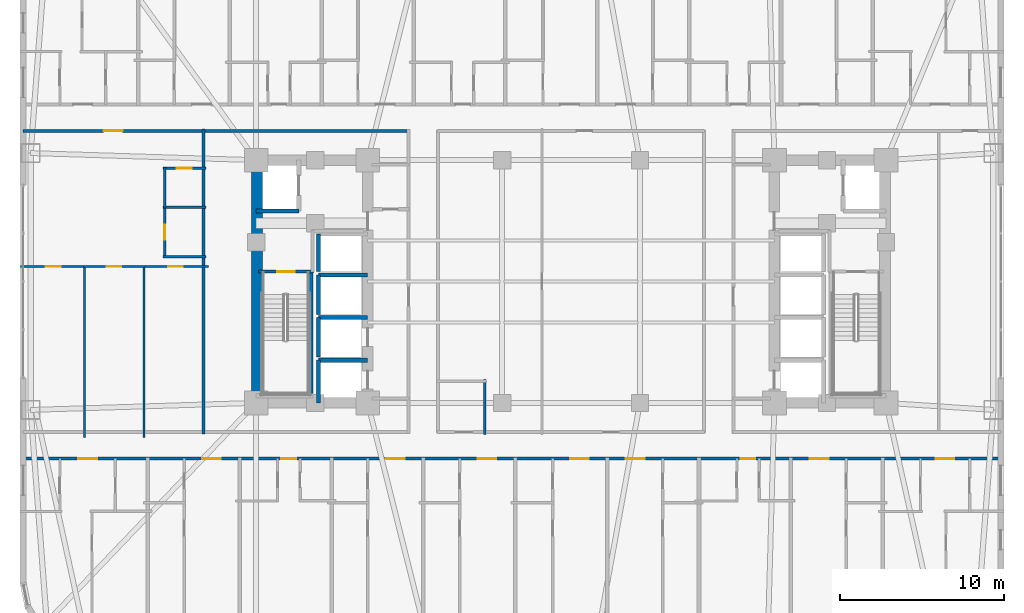
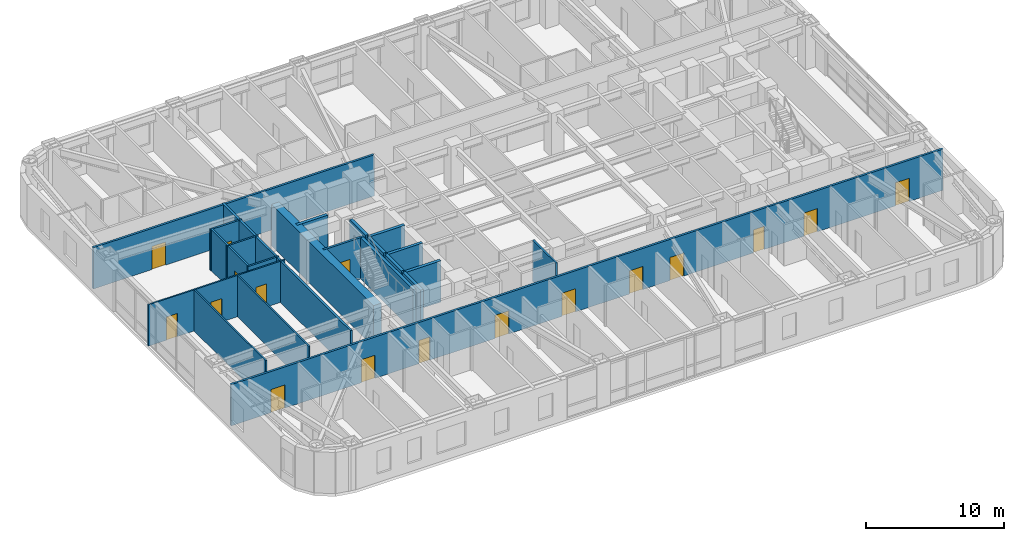
# One storey, part 21 of 28: 25 walls, 17 doors, 17 openings.
"""IFC4 building model written with IfcOpenShell, lengths in metres."""

from ifc_helpers import new_model, si_unit, direction, frame, frame_2d, origin, place, context, subcontext, project, spatial, rectangle, extrude, material, layer, layer_set, type_object, element, fill, save


model = new_model("IFC4")

# Units and contexts
model_context = context("Model", 3, precision=1e-05, world=origin(), true_north=direction((0.0, 1.0)))
body_context = subcontext(model_context, "Body", "Model", "MODEL_VIEW")
ifc_project = project(units=[si_unit("LENGTHUNIT", "METRE"), si_unit("AREAUNIT", "SQUARE_METRE"), si_unit("VOLUMEUNIT", "CUBIC_METRE"), si_unit("PLANEANGLEUNIT", "RADIAN"), si_unit("MASSUNIT", "GRAM", prefix="KILO")], contexts=[model_context])

# Site, building, storey
site_placement = place(None, origin())
site = spatial("IfcSite", under=ifc_project, at=site_placement, CompositionType="ELEMENT")
building_placement = place(site_placement, origin())
building = spatial("IfcBuilding", under=site, at=building_placement, Name="Voryun Gate Residences", CompositionType="ELEMENT")
storey_placement = place(building_placement, frame((0.0, 0.0, 61.10009765625)))
storey = spatial("IfcBuildingStorey", under=building, at=storey_placement, Name="L14", CompositionType="ELEMENT", Elevation=61.10009765625)

# Wall
ifc_material_1 = material(Name="Concrete C60/75", Category="concrete")
ifc_layer_1 = layer(ifc_material_1, 0.64990234375, Name="CW_CORE_650")
ifc_layer_set_1 = layer_set([ifc_layer_1], Name="Concrete C60/75")
wall_type_1 = type_object("IfcWallType", Name="CW_CORE_650", PredefinedType="SHEAR", material=ifc_layer_set_1)
wall_1_placement = place(storey_placement, frame((-19.14501953125, -7.39990234375, 0.0), z_axis=(0.0, 0.0, 1.0), x_axis=(0.0, 1.0, 0.0)))
element("IfcWall", 1, at=wall_1_placement, inside=storey, type_object=wall_type_1, Name="L14 Core shear wall CW-L14-WW", PredefinedType="SHEAR", context=body_context, shape_type="SweptSolid", body=[
    extrude(rectangle(XDim=14.7998046875, YDim=0.64990234375, at=frame_2d((7.39990234375, 0.0))), origin(), (0.0, 0.0, 1.0), 3.64990234375),
])

# Wall, opening, door
ifc_material_2 = material(Name="Gypsum acoustic fireboard")
ifc_layer_2 = layer(ifc_material_2, 0.179931640625, Name="W_CORR_RATED_180")
ifc_layer_set_2 = layer_set([ifc_layer_2], Name="Gypsum acoustic fireboard")
wall_type_2 = type_object("IfcWallType", Name="W_CORR_RATED_180", PredefinedType="PARTITIONING", material=ifc_layer_set_2)
wall_2_placement = place(storey_placement, frame((-19.06005859375, 0.60009765625, 0.0), z_axis=(0.0, 0.0, 1.0), x_axis=(1.0, 0.0, 0.0)))
wall_2 = element("IfcWall", 2, at=wall_2_placement, inside=storey, type_object=wall_type_2, Name="Partition wall WP-L14-STV-W", PredefinedType="PARTITIONING", context=body_context, shape_type="SweptSolid", body=[
    extrude(rectangle(XDim=3.360107421875, YDim=0.179931640625, at=frame_2d((1.68017578125, 0.0))), origin(), (0.0, 0.0, 1.0), 3.64990234375),
])
opening_1_placement = place(wall_2_placement, frame((1.155029296875, 0.0, 0.0)))
opening_1 = element("IfcOpeningElement", 3, at=opening_1_placement, cuts=wall_2, Name="Opening D-FD60-1", PredefinedType="OPENING", context=body_context, shape_type="SweptSolid", body=[
    extrude(rectangle(XDim=1.050048828125, YDim=2.050048828125, at=frame_2d((0.52490234375, 1.02490234375))), frame((0.0, 0.099853515625, 0.0), z_axis=(0.0, -1.0, 0.0), x_axis=(1.0, 0.0, 0.0)), (0.0, 0.0, 1.0), 0.199951171875),
])
ifc_material_3 = material(Name="Painted steel fire door", Category="steel")
door_type_1 = type_object("IfcDoorType", Name="DR_FD60_STAIR_1050", OperationType="NOTDEFINED", PredefinedType="DOOR", material=ifc_material_3)
door_1_placement = place(opening_1_placement, origin())
door_1 = element("IfcDoor", 4, at=door_1_placement, inside=storey, type_object=door_type_1, Name="Door DR-L14-ST-W", OperationType="SINGLE_SWING_LEFT", OverallHeight=2.050048828125, OverallWidth=1.050048828125, PredefinedType="DOOR", context=body_context, shape_type="SweptSolid", body=[
    extrude(rectangle(XDim=1.050048828125, YDim=2.050048828125, at=frame_2d((0.52490234375, 1.02490234375))), frame((0.0, 0.02490234375, 0.0), z_axis=(0.0, -1.0, 0.0), x_axis=(1.0, 0.0, 0.0)), (0.0, 0.0, 1.0), 0.050048828125),
])
fill(opening_1, door_1)

wall_3_placement = place(storey_placement, frame((-33.409912109375, 9.18994140625, 0.0), z_axis=(0.0, 0.0, 1.0), x_axis=(1.0, 0.0, 0.0)))
wall_3 = element("IfcWall", 5, at=wall_3_placement, inside=storey, type_object=wall_type_2, Name="Partition wall WP-L14-CWING-WN", PredefinedType="PARTITIONING", context=body_context, shape_type="SweptSolid", body=[
    extrude(rectangle(XDim=23.530029296875, YDim=0.179931640625, at=frame_2d((11.76513671875, 0.0))), origin(), (0.0, 0.0, 1.0), 3.64990234375),
])
opening_2_placement = place(wall_3_placement, frame((4.91455078125, 0.0, 0.0)))
opening_2 = element("IfcOpeningElement", 6, at=opening_2_placement, cuts=wall_3, Name="Opening D-UNIT-1", PredefinedType="OPENING", context=body_context, shape_type="SweptSolid", body=[
    extrude(rectangle(XDim=1.14990234375, YDim=2.050048828125, at=frame_2d((0.574951171875, 1.02490234375))), frame((0.0, 0.099853515625, 0.0), z_axis=(0.0, -1.0, 0.0), x_axis=(1.0, 0.0, 0.0)), (0.0, 0.0, 1.0), 0.199951171875),
])
ifc_material_4 = material(Name="Armoured timber-clad fire door", Category="wood")
door_type_2 = type_object("IfcDoorType", Name="DR_UNIT_ENTRY_1150", OperationType="NOTDEFINED", PredefinedType="DOOR", material=ifc_material_4)
door_2_placement = place(opening_2_placement, origin())
door_2 = element("IfcDoor", 7, at=door_2_placement, inside=storey, type_object=door_type_2, Name="Door DR-L14-WE1N", OperationType="SINGLE_SWING_LEFT", OverallHeight=2.050048828125, OverallWidth=1.14990234375, PredefinedType="DOOR", context=body_context, shape_type="SweptSolid", body=[
    extrude(rectangle(XDim=1.14990234375, YDim=2.050048828125, at=frame_2d((0.574951171875, 1.02490234375))), frame((0.0, 0.02490234375, 0.0), z_axis=(0.0, -1.0, 0.0), x_axis=(1.0, 0.0, 0.0)), (0.0, 0.0, 1.0), 0.050048828125),
])
fill(opening_2, door_2)

# Wall, openings, doors
wall_4_placement = place(storey_placement, frame((-33.409912109375, -10.800048828125, 0.0), z_axis=(0.0, 0.0, 1.0), x_axis=(1.0, 0.0, 0.0)))
wall_4 = element("IfcWall", 8, at=wall_4_placement, inside=storey, type_object=wall_type_2, Name="Partition wall WP-L14-SCORR", PredefinedType="PARTITIONING", context=body_context, shape_type="SweptSolid", body=[
    extrude(rectangle(XDim=59.619873046875, YDim=0.179931640625, at=frame_2d((29.81005859375, 0.0))), origin(), (0.0, 0.0, 1.0), 3.64990234375),
])
opening_3_placement = place(wall_4_placement, frame((3.35986328125, 0.0, 0.0)))
opening_3 = element("IfcOpeningElement", 9, at=opening_3_placement, cuts=wall_4, Name="Opening D-UNIT-1", PredefinedType="OPENING", context=body_context, shape_type="SweptSolid", body=[
    extrude(rectangle(XDim=1.14990234375, YDim=2.050048828125, at=frame_2d((0.574951171875, 1.02490234375))), frame((0.0, 0.099853515625, 0.0), z_axis=(0.0, -1.0, 0.0), x_axis=(1.0, 0.0, 0.0)), (0.0, 0.0, 1.0), 0.199951171875),
])
opening_4_placement = place(wall_4_placement, frame((10.90771484375, 0.0, 0.0)))
opening_4 = element("IfcOpeningElement", 10, at=opening_4_placement, cuts=wall_4, Name="Opening D-UNIT-1", PredefinedType="OPENING", context=body_context, shape_type="SweptSolid", body=[
    extrude(rectangle(XDim=1.14990234375, YDim=2.050048828125, at=frame_2d((0.574951171875, 1.02490234375))), frame((0.0, 0.099853515625, 0.0), z_axis=(0.0, -1.0, 0.0), x_axis=(1.0, 0.0, 0.0)), (0.0, 0.0, 1.0), 0.199951171875),
])
opening_5_placement = place(wall_4_placement, frame((15.754638671875, 0.0, 0.0)))
opening_5 = element("IfcOpeningElement", 11, at=opening_5_placement, cuts=wall_4, Name="Opening D-INT-2", PredefinedType="OPENING", context=body_context, shape_type="SweptSolid", body=[
    extrude(rectangle(XDim=0.89990234375, YDim=2.050048828125, at=frame_2d((0.449951171875, 1.02490234375))), frame((0.0, 0.099853515625, 0.0), z_axis=(0.0, -1.0, 0.0), x_axis=(1.0, 0.0, 0.0)), (0.0, 0.0, 1.0), 0.199951171875),
])
opening_6_placement = place(wall_4_placement, frame((22.1103515625, 0.0, 0.0)))
opening_6 = element("IfcOpeningElement", 12, at=opening_6_placement, cuts=wall_4, Name="Opening D-UNIT-1", PredefinedType="OPENING", context=body_context, shape_type="SweptSolid", body=[
    extrude(rectangle(XDim=1.14990234375, YDim=2.050048828125, at=frame_2d((0.574951171875, 1.02490234375))), frame((0.0, 0.099853515625, 0.0), z_axis=(0.0, -1.0, 0.0), x_axis=(1.0, 0.0, 0.0)), (0.0, 0.0, 1.0), 0.199951171875),
])
opening_7_placement = place(wall_4_placement, frame((27.708740234375, 0.0, 0.0)))
opening_7 = element("IfcOpeningElement", 13, at=opening_7_placement, cuts=wall_4, Name="Opening D-UNIT-1", PredefinedType="OPENING", context=body_context, shape_type="SweptSolid", body=[
    extrude(rectangle(XDim=1.14990234375, YDim=2.050048828125, at=frame_2d((0.574951171875, 1.02490234375))), frame((0.0, 0.099853515625, 0.0), z_axis=(0.0, -1.0, 0.0), x_axis=(1.0, 0.0, 0.0)), (0.0, 0.0, 1.0), 0.199951171875),
])
opening_8_placement = place(wall_4_placement, frame((33.348876953125, 0.0, 0.0)))
opening_8 = element("IfcOpeningElement", 14, at=opening_8_placement, cuts=wall_4, Name="Opening D-UNIT-1", PredefinedType="OPENING", context=body_context, shape_type="SweptSolid", body=[
    extrude(rectangle(XDim=1.14990234375, YDim=2.050048828125, at=frame_2d((0.574951171875, 1.02490234375))), frame((0.0, 0.099853515625, 0.0), z_axis=(0.0, -1.0, 0.0), x_axis=(1.0, 0.0, 0.0)), (0.0, 0.0, 1.0), 0.199951171875),
])
opening_9_placement = place(wall_4_placement, frame((36.759033203125, 0.0, 0.0)))
opening_9 = element("IfcOpeningElement", 15, at=opening_9_placement, cuts=wall_4, Name="Opening D-UNIT-1", PredefinedType="OPENING", context=body_context, shape_type="SweptSolid", body=[
    extrude(rectangle(XDim=1.14990234375, YDim=2.050048828125, at=frame_2d((0.574951171875, 1.02490234375))), frame((0.0, 0.099853515625, 0.0), z_axis=(0.0, -1.0, 0.0), x_axis=(1.0, 0.0, 0.0)), (0.0, 0.0, 1.0), 0.199951171875),
])
opening_10_placement = place(wall_4_placement, frame((43.752197265625, 0.0, 0.0)))
opening_10 = element("IfcOpeningElement", 16, at=opening_10_placement, cuts=wall_4, Name="Opening D-INT-2", PredefinedType="OPENING", context=body_context, shape_type="SweptSolid", body=[
    extrude(rectangle(XDim=0.89990234375, YDim=2.050048828125, at=frame_2d((0.449951171875, 1.02490234375))), frame((0.0, 0.099853515625, 0.0), z_axis=(0.0, -1.0, 0.0), x_axis=(1.0, 0.0, 0.0)), (0.0, 0.0, 1.0), 0.199951171875),
])
opening_11_placement = place(wall_4_placement, frame((47.961669921875, 0.0, 0.0)))
opening_11 = element("IfcOpeningElement", 17, at=opening_11_placement, cuts=wall_4, Name="Opening D-UNIT-1", PredefinedType="OPENING", context=body_context, shape_type="SweptSolid", body=[
    extrude(rectangle(XDim=1.14990234375, YDim=2.050048828125, at=frame_2d((0.574951171875, 1.02490234375))), frame((0.0, 0.099853515625, 0.0), z_axis=(0.0, -1.0, 0.0), x_axis=(1.0, 0.0, 0.0)), (0.0, 0.0, 1.0), 0.199951171875),
])
opening_12_placement = place(wall_4_placement, frame((55.640625, 0.0, 0.0)))
opening_12 = element("IfcOpeningElement", 18, at=opening_12_placement, cuts=wall_4, Name="Opening D-UNIT-1", PredefinedType="OPENING", context=body_context, shape_type="SweptSolid", body=[
    extrude(rectangle(XDim=1.14990234375, YDim=2.050048828125, at=frame_2d((0.574951171875, 1.02490234375))), frame((0.0, 0.099853515625, 0.0), z_axis=(0.0, -1.0, 0.0), x_axis=(1.0, 0.0, 0.0)), (0.0, 0.0, 1.0), 0.199951171875),
])
ifc_material_5 = material(Name="Architectural oak veneer")
door_type_3 = type_object("IfcDoorType", Name="DR_INT_BATH_900", OperationType="NOTDEFINED", PredefinedType="DOOR", material=ifc_material_5)
door_3_placement = place(opening_5_placement, origin())
door_3 = element("IfcDoor", 19, at=door_3_placement, inside=storey, type_object=door_type_3, Name="Door DR-L14-SENT-3", OperationType="SINGLE_SWING_RIGHT", OverallHeight=2.050048828125, OverallWidth=0.89990234375, PredefinedType="DOOR", context=body_context, shape_type="SweptSolid", body=[
    extrude(rectangle(XDim=0.89990234375, YDim=2.050048828125, at=frame_2d((0.449951171875, 1.02490234375))), frame((0.0, 0.02490234375, 0.0), z_axis=(0.0, -1.0, 0.0), x_axis=(1.0, 0.0, 0.0)), (0.0, 0.0, 1.0), 0.050048828125),
])
fill(opening_5, door_3)
door_4_placement = place(opening_10_placement, origin())
door_4 = element("IfcDoor", 20, at=door_4_placement, inside=storey, type_object=door_type_3, Name="Door DR-L14-SENT-8", OperationType="SINGLE_SWING_LEFT", OverallHeight=2.050048828125, OverallWidth=0.89990234375, PredefinedType="DOOR", context=body_context, shape_type="SweptSolid", body=[
    extrude(rectangle(XDim=0.89990234375, YDim=2.050048828125, at=frame_2d((0.449951171875, 1.02490234375))), frame((0.0, 0.02490234375, 0.0), z_axis=(0.0, -1.0, 0.0), x_axis=(1.0, 0.0, 0.0)), (0.0, 0.0, 1.0), 0.050048828125),
])
fill(opening_10, door_4)
door_5_placement = place(opening_3_placement, origin())
door_5 = element("IfcDoor", 21, at=door_5_placement, inside=storey, type_object=door_type_2, Name="Door DR-L14-SENT-1", OperationType="SINGLE_SWING_RIGHT", OverallHeight=2.050048828125, OverallWidth=1.14990234375, PredefinedType="DOOR", context=body_context, shape_type="SweptSolid", body=[
    extrude(rectangle(XDim=1.14990234375, YDim=2.050048828125, at=frame_2d((0.574951171875, 1.02490234375))), frame((0.0, 0.02490234375, 0.0), z_axis=(0.0, -1.0, 0.0), x_axis=(1.0, 0.0, 0.0)), (0.0, 0.0, 1.0), 0.050048828125),
])
fill(opening_3, door_5)
door_6_placement = place(opening_4_placement, origin())
door_6 = element("IfcDoor", 22, at=door_6_placement, inside=storey, type_object=door_type_2, Name="Door DR-L14-SENT-2", OperationType="SINGLE_SWING_LEFT", OverallHeight=2.050048828125, OverallWidth=1.14990234375, PredefinedType="DOOR", context=body_context, shape_type="SweptSolid", body=[
    extrude(rectangle(XDim=1.14990234375, YDim=2.050048828125, at=frame_2d((0.574951171875, 1.02490234375))), frame((0.0, 0.02490234375, 0.0), z_axis=(0.0, -1.0, 0.0), x_axis=(1.0, 0.0, 0.0)), (0.0, 0.0, 1.0), 0.050048828125),
])
fill(opening_4, door_6)
door_7_placement = place(opening_6_placement, origin())
door_7 = element("IfcDoor", 23, at=door_7_placement, inside=storey, type_object=door_type_2, Name="Door DR-L14-SENT-4", OperationType="SINGLE_SWING_LEFT", OverallHeight=2.050048828125, OverallWidth=1.14990234375, PredefinedType="DOOR", context=body_context, shape_type="SweptSolid", body=[
    extrude(rectangle(XDim=1.14990234375, YDim=2.050048828125, at=frame_2d((0.574951171875, 1.02490234375))), frame((0.0, 0.02490234375, 0.0), z_axis=(0.0, -1.0, 0.0), x_axis=(1.0, 0.0, 0.0)), (0.0, 0.0, 1.0), 0.050048828125),
])
fill(opening_6, door_7)
door_8_placement = place(opening_7_placement, origin())
door_8 = element("IfcDoor", 24, at=door_8_placement, inside=storey, type_object=door_type_2, Name="Door DR-L14-SENT-5", OperationType="SINGLE_SWING_RIGHT", OverallHeight=2.050048828125, OverallWidth=1.14990234375, PredefinedType="DOOR", context=body_context, shape_type="SweptSolid", body=[
    extrude(rectangle(XDim=1.14990234375, YDim=2.050048828125, at=frame_2d((0.574951171875, 1.02490234375))), frame((0.0, 0.02490234375, 0.0), z_axis=(0.0, -1.0, 0.0), x_axis=(1.0, 0.0, 0.0)), (0.0, 0.0, 1.0), 0.050048828125),
])
fill(opening_7, door_8)
door_9_placement = place(opening_8_placement, origin())
door_9 = element("IfcDoor", 25, at=door_9_placement, inside=storey, type_object=door_type_2, Name="Door DR-L14-SENT-6", OperationType="SINGLE_SWING_LEFT", OverallHeight=2.050048828125, OverallWidth=1.14990234375, PredefinedType="DOOR", context=body_context, shape_type="SweptSolid", body=[
    extrude(rectangle(XDim=1.14990234375, YDim=2.050048828125, at=frame_2d((0.574951171875, 1.02490234375))), frame((0.0, 0.02490234375, 0.0), z_axis=(0.0, -1.0, 0.0), x_axis=(1.0, 0.0, 0.0)), (0.0, 0.0, 1.0), 0.050048828125),
])
fill(opening_8, door_9)
door_10_placement = place(opening_9_placement, origin())
door_10 = element("IfcDoor", 26, at=door_10_placement, inside=storey, type_object=door_type_2, Name="Door DR-L14-SENT-7", OperationType="SINGLE_SWING_RIGHT", OverallHeight=2.050048828125, OverallWidth=1.14990234375, PredefinedType="DOOR", context=body_context, shape_type="SweptSolid", body=[
    extrude(rectangle(XDim=1.14990234375, YDim=2.050048828125, at=frame_2d((0.574951171875, 1.02490234375))), frame((0.0, 0.02490234375, 0.0), z_axis=(0.0, -1.0, 0.0), x_axis=(1.0, 0.0, 0.0)), (0.0, 0.0, 1.0), 0.050048828125),
])
fill(opening_9, door_10)
door_11_placement = place(opening_11_placement, origin())
door_11 = element("IfcDoor", 27, at=door_11_placement, inside=storey, type_object=door_type_2, Name="Door DR-L14-SENT-9", OperationType="SINGLE_SWING_RIGHT", OverallHeight=2.050048828125, OverallWidth=1.14990234375, PredefinedType="DOOR", context=body_context, shape_type="SweptSolid", body=[
    extrude(rectangle(XDim=1.14990234375, YDim=2.050048828125, at=frame_2d((0.574951171875, 1.02490234375))), frame((0.0, 0.02490234375, 0.0), z_axis=(0.0, -1.0, 0.0), x_axis=(1.0, 0.0, 0.0)), (0.0, 0.0, 1.0), 0.050048828125),
])
fill(opening_11, door_11)
door_12_placement = place(opening_12_placement, origin())
door_12 = element("IfcDoor", 28, at=door_12_placement, inside=storey, type_object=door_type_2, Name="Door DR-L14-SENT-10", OperationType="SINGLE_SWING_LEFT", OverallHeight=2.050048828125, OverallWidth=1.14990234375, PredefinedType="DOOR", context=body_context, shape_type="SweptSolid", body=[
    extrude(rectangle(XDim=1.14990234375, YDim=2.050048828125, at=frame_2d((0.574951171875, 1.02490234375))), frame((0.0, 0.02490234375, 0.0), z_axis=(0.0, -1.0, 0.0), x_axis=(1.0, 0.0, 0.0)), (0.0, 0.0, 1.0), 0.050048828125),
])
fill(opening_12, door_12)

# Walls
wall_5_placement = place(storey_placement, frame((-22.419921875, -9.31005859375, 0.0), z_axis=(0.0, 0.0, 1.0), x_axis=(0.0, 1.0, 0.0)))
element("IfcWall", 29, at=wall_5_placement, inside=storey, type_object=wall_type_2, Name="Partition wall WP-L14-WCOR", PredefinedType="PARTITIONING", context=body_context, shape_type="SweptSolid", body=[
    extrude(rectangle(XDim=18.6201171875, YDim=0.179931640625, at=frame_2d((9.31005859375, 0.0))), origin(), (0.0, 0.0, 1.0), 3.64990234375),
])
ifc_material_6 = material(Name="Concrete C50/60", Category="concrete")
ifc_layer_3 = layer(ifc_material_6, 0.25, Name="W_SHAFT_RC250")
ifc_layer_set_3 = layer_set([ifc_layer_3], Name="Concrete C50/60")
wall_type_3 = type_object("IfcWallType", Name="W_SHAFT_RC250", PredefinedType="SOLIDWALL", material=ifc_layer_set_3)
wall_6_placement = place(storey_placement, frame((-15.860107421875, -7.0849609375, 0.0), z_axis=(0.0, 0.0, 1.0), x_axis=(0.0, 1.0, 0.0)))
element("IfcWall", 30, at=wall_6_placement, inside=storey, type_object=wall_type_3, Name="L14 Stair shaft structural wall W-STR", PredefinedType="SOLIDWALL", context=body_context, shape_type="SweptSolid", body=[
    extrude(rectangle(XDim=7.68505859375, YDim=0.25, at=frame_2d((3.842529296875, 0.0))), origin(), (0.0, 0.0, 1.0), 3.64990234375),
])
wall_7_placement = place(storey_placement, frame((-19.199951171875, 4.300048828125, 0.0), z_axis=(0.0, 0.0, 1.0), x_axis=(1.0, 0.0, 0.0)))
element("IfcWall", 31, at=wall_7_placement, inside=storey, type_object=wall_type_3, Name="Lift shaft wall WSH-L14-EL-FF-W1-S", PredefinedType="SOLIDWALL", context=body_context, shape_type="SweptSolid", body=[
    extrude(rectangle(XDim=2.599853515625, YDim=0.25, at=frame_2d((1.2998046875, 0.0))), origin(), (0.0, 0.0, 1.0), 3.64990234375),
])
wall_8_placement = place(storey_placement, frame((-12.39990234375, -4.800048828125, 0.0), z_axis=(0.0, 0.0, 1.0), x_axis=(-1.0, 0.0, 0.0)))
element("IfcWall", 32, at=wall_8_placement, inside=storey, type_object=wall_type_3, Name="Lift shaft wall WSH-L14-EL-P1-N", PredefinedType="SOLIDWALL", context=body_context, shape_type="SweptSolid", body=[
    extrude(rectangle(XDim=3.0, YDim=0.25, at=frame_2d((1.5, 0.0))), origin(), (0.0, 0.0, 1.0), 3.64990234375),
])
wall_9_placement = place(storey_placement, frame((-15.39990234375, -4.800048828125, 0.0), z_axis=(0.0, 0.0, 1.0), x_axis=(0.0, -1.0, 0.0)))
element("IfcWall", 33, at=wall_9_placement, inside=storey, type_object=wall_type_3, Name="Lift shaft wall WSH-L14-EL-P1-W", PredefinedType="SOLIDWALL", context=body_context, shape_type="SweptSolid", body=[
    extrude(rectangle(XDim=2.599853515625, YDim=0.25, at=frame_2d((1.2998046875, 0.0))), origin(), (0.0, 0.0, 1.0), 3.64990234375),
])
wall_10_placement = place(storey_placement, frame((-12.39990234375, -2.199951171875, 0.0), z_axis=(0.0, 0.0, 1.0), x_axis=(-1.0, 0.0, 0.0)))
element("IfcWall", 34, at=wall_10_placement, inside=storey, type_object=wall_type_3, Name="Lift shaft wall WSH-L14-EL-P2-N", PredefinedType="SOLIDWALL", context=body_context, shape_type="SweptSolid", body=[
    extrude(rectangle(XDim=3.0, YDim=0.25, at=frame_2d((1.5, 0.0))), origin(), (0.0, 0.0, 1.0), 3.64990234375),
])
wall_11_placement = place(storey_placement, frame((-15.39990234375, -2.199951171875, 0.0), z_axis=(0.0, 0.0, 1.0), x_axis=(0.0, -1.0, 0.0)))
element("IfcWall", 35, at=wall_11_placement, inside=storey, type_object=wall_type_3, Name="Lift shaft wall WSH-L14-EL-P2-W", PredefinedType="SOLIDWALL", context=body_context, shape_type="SweptSolid", body=[
    extrude(rectangle(XDim=2.400146484375, YDim=0.25, at=frame_2d((1.2001953125, 0.0))), origin(), (0.0, 0.0, 1.0), 3.64990234375),
])
wall_12_placement = place(storey_placement, frame((-12.39990234375, 0.39990234375, 0.0), z_axis=(0.0, 0.0, 1.0), x_axis=(-1.0, 0.0, 0.0)))
element("IfcWall", 36, at=wall_12_placement, inside=storey, type_object=wall_type_3, Name="Lift shaft wall WSH-L14-EL-P4-N", PredefinedType="SOLIDWALL", context=body_context, shape_type="SweptSolid", body=[
    extrude(rectangle(XDim=3.0, YDim=0.25, at=frame_2d((1.5, 0.0))), origin(), (0.0, 0.0, 1.0), 3.64990234375),
])
wall_13_placement = place(storey_placement, frame((-15.39990234375, 0.39990234375, 0.0), z_axis=(0.0, 0.0, 1.0), x_axis=(0.0, -1.0, 0.0)))
element("IfcWall", 37, at=wall_13_placement, inside=storey, type_object=wall_type_3, Name="Lift shaft wall WSH-L14-EL-P4-W", PredefinedType="SOLIDWALL", context=body_context, shape_type="SweptSolid", body=[
    extrude(rectangle(XDim=2.39990234375, YDim=0.25, at=frame_2d((1.199951171875, 0.0))), origin(), (0.0, 0.0, 1.0), 3.64990234375),
])
wall_14_placement = place(storey_placement, frame((-15.39990234375, 2.89990234375, 0.0), z_axis=(0.0, 0.0, 1.0), x_axis=(0.0, -1.0, 0.0)))
element("IfcWall", 38, at=wall_14_placement, inside=storey, type_object=wall_type_3, Name="Lift shaft wall WSH-L14-EL-P7-W", PredefinedType="SOLIDWALL", context=body_context, shape_type="SweptSolid", body=[
    extrude(rectangle(XDim=2.2998046875, YDim=0.25, at=frame_2d((1.14990234375, 0.0))), origin(), (0.0, 0.0, 1.0), 3.64990234375),
])

# Wall, opening, door
ifc_material_7 = material(Name="Gypsum acoustic partition")
ifc_layer_4 = layer(ifc_material_7, 0.125, Name="W_UNIT_PART_125")
ifc_layer_set_4 = layer_set([ifc_layer_4], Name="Gypsum acoustic partition")
wall_type_4 = type_object("IfcWallType", Name="W_UNIT_PART_125", PredefinedType="PARTITIONING", material=ifc_layer_set_4)
wall_15_placement = place(storey_placement, frame((-33.56005859375, 0.909912109375, 0.0), z_axis=(0.0, 0.0, 1.0), x_axis=(1.0, 0.0, 0.0)))
wall_15 = element("IfcWall", 39, at=wall_15_placement, inside=storey, type_object=wall_type_4, Name="Partition wall WP-L14-W1-HZMB1", PredefinedType="PARTITIONING", context=body_context, shape_type="SweptSolid", body=[
    extrude(rectangle(XDim=3.944580078125, YDim=0.125, at=frame_2d((1.97216796875, 0.0))), origin(), (0.0, 0.0, 1.0), 3.64990234375),
])
opening_13_placement = place(wall_15_placement, frame((1.531005859375, 0.0, 0.0)))
opening_13 = element("IfcOpeningElement", 40, at=opening_13_placement, cuts=wall_15, Name="Opening D-INT-2", PredefinedType="OPENING", context=body_context, shape_type="SweptSolid", body=[
    extrude(rectangle(XDim=0.89990234375, YDim=2.050048828125, at=frame_2d((0.449951171875, 1.02490234375))), frame((0.0, 0.072509765625, 0.0), z_axis=(0.0, -1.0, 0.0), x_axis=(1.0, 0.0, 0.0)), (0.0, 0.0, 1.0), 0.14501953125),
])
door_13_placement = place(opening_13_placement, origin())
door_13 = element("IfcDoor", 41, at=door_13_placement, inside=storey, type_object=door_type_3, Name="Door DR-L14-W1-DMB", OperationType="SINGLE_SWING_LEFT", OverallHeight=2.050048828125, OverallWidth=0.89990234375, PredefinedType="DOOR", context=body_context, shape_type="SweptSolid", body=[
    extrude(rectangle(XDim=0.89990234375, YDim=2.050048828125, at=frame_2d((0.449951171875, 1.02490234375))), frame((0.0, 0.02490234375, 0.0), z_axis=(0.0, -1.0, 0.0), x_axis=(1.0, 0.0, 0.0)), (0.0, 0.0, 1.0), 0.050048828125),
])
fill(opening_13, door_13)

wall_16_placement = place(storey_placement, frame((-29.740478515625, 0.909912109375, 0.0), z_axis=(0.0, 0.0, 1.0), x_axis=(1.0, 0.0, 0.0)))
wall_16 = element("IfcWall", 42, at=wall_16_placement, inside=storey, type_object=wall_type_4, Name="Partition wall WP-L14-W1-HZMB2", PredefinedType="PARTITIONING", context=body_context, shape_type="SweptSolid", body=[
    extrude(rectangle(XDim=3.75390625, YDim=0.125, at=frame_2d((1.876953125, 0.0))), origin(), (0.0, 0.0, 1.0), 3.64990234375),
])
opening_14_placement = place(wall_16_placement, frame((1.427001953125, 0.0, 0.0)))
opening_14 = element("IfcOpeningElement", 43, at=opening_14_placement, cuts=wall_16, Name="Opening D-INT-2", PredefinedType="OPENING", context=body_context, shape_type="SweptSolid", body=[
    extrude(rectangle(XDim=0.89990234375, YDim=2.050048828125, at=frame_2d((0.449951171875, 1.02490234375))), frame((0.0, 0.072509765625, 0.0), z_axis=(0.0, -1.0, 0.0), x_axis=(1.0, 0.0, 0.0)), (0.0, 0.0, 1.0), 0.14501953125),
])
door_14_placement = place(opening_14_placement, origin())
door_14 = element("IfcDoor", 44, at=door_14_placement, inside=storey, type_object=door_type_3, Name="Door DR-L14-W1-DBD2", OperationType="SINGLE_SWING_RIGHT", OverallHeight=2.050048828125, OverallWidth=0.89990234375, PredefinedType="DOOR", context=body_context, shape_type="SweptSolid", body=[
    extrude(rectangle(XDim=0.89990234375, YDim=2.050048828125, at=frame_2d((0.449951171875, 1.02490234375))), frame((0.0, 0.02490234375, 0.0), z_axis=(0.0, -1.0, 0.0), x_axis=(1.0, 0.0, 0.0)), (0.0, 0.0, 1.0), 0.050048828125),
])
fill(opening_14, door_14)

wall_17_placement = place(storey_placement, frame((-26.111572265625, 0.909912109375, 0.0), z_axis=(0.0, 0.0, 1.0), x_axis=(1.0, 0.0, 0.0)))
wall_17 = element("IfcWall", 45, at=wall_17_placement, inside=storey, type_object=wall_type_4, Name="Partition wall WP-L14-W1-HZMB3", PredefinedType="PARTITIONING", context=body_context, shape_type="SweptSolid", body=[
    extrude(rectangle(XDim=4.011474609375, YDim=0.125, at=frame_2d((2.005859375, 0.0))), origin(), (0.0, 0.0, 1.0), 3.64990234375),
])
opening_15_placement = place(wall_17_placement, frame((1.547119140625, 0.0, 0.0)))
opening_15 = element("IfcOpeningElement", 46, at=opening_15_placement, cuts=wall_17, Name="Opening D-INT-2", PredefinedType="OPENING", context=body_context, shape_type="SweptSolid", body=[
    extrude(rectangle(XDim=0.89990234375, YDim=2.050048828125, at=frame_2d((0.449951171875, 1.02490234375))), frame((0.0, 0.072509765625, 0.0), z_axis=(0.0, -1.0, 0.0), x_axis=(1.0, 0.0, 0.0)), (0.0, 0.0, 1.0), 0.14501953125),
])
door_15_placement = place(opening_15_placement, origin())
door_15 = element("IfcDoor", 47, at=door_15_placement, inside=storey, type_object=door_type_3, Name="Door DR-L14-W1-DBD3", OperationType="SINGLE_SWING_LEFT", OverallHeight=2.050048828125, OverallWidth=0.89990234375, PredefinedType="DOOR", context=body_context, shape_type="SweptSolid", body=[
    extrude(rectangle(XDim=0.89990234375, YDim=2.050048828125, at=frame_2d((0.449951171875, 1.02490234375))), frame((0.0, 0.02490234375, 0.0), z_axis=(0.0, -1.0, 0.0), x_axis=(1.0, 0.0, 0.0)), (0.0, 0.0, 1.0), 0.050048828125),
])
fill(opening_15, door_15)

# Walls
for number, where, z_axis, x_axis, name in (
    (48, (-26.049072265625, -9.510009765625, 0.0), (0.0, 0.0, 1.0), (0.0, 1.0, 0.0), "Partition wall WP-L14-W1-VMB2"),
    (49, (-29.677978515625, -9.510009765625, 0.0), (0.0, 0.0, 1.0), (0.0, 1.0, 0.0), "Partition wall WP-L14-W1-VMB"),
):
    element("IfcWall", number, at=place(storey_placement, frame(where, z_axis=z_axis, x_axis=x_axis)), inside=storey, type_object=wall_type_4, Name=name, PredefinedType="PARTITIONING", context=body_context, shape_type="SweptSolid", body=[
        extrude(rectangle(XDim=10.47998046875, YDim=0.125, at=frame_2d((5.239990234375, 0.0))), origin(), (0.0, 0.0, 1.0), 3.64990234375),
    ])
ifc_material_8 = material(Name="Gypsum moisture-resistant partition")
ifc_layer_5 = layer(ifc_material_8, 0.14990234375, Name="W_WET_PLUMB_150")
ifc_layer_set_5 = layer_set([ifc_layer_5], Name="Gypsum moisture-resistant partition")
wall_type_5 = type_object("IfcWallType", Name="W_WET_PLUMB_150", PredefinedType="PLUMBINGWALL", material=ifc_layer_set_5)
wall_18_placement = place(storey_placement, frame((-5.260009765625, -9.320068359375, 0.0), z_axis=(0.0, 0.0, 1.0), x_axis=(0.0, 1.0, 0.0)))
element("IfcWall", 50, at=wall_18_placement, inside=storey, type_object=wall_type_5, Name="Partition wall WP-L14-CMWCX", PredefinedType="PLUMBINGWALL", context=body_context, shape_type="SweptSolid", body=[
    extrude(rectangle(XDim=3.35009765625, YDim=0.14990234375, at=frame_2d((1.675048828125, 0.0))), origin(), (0.0, 0.0, 1.0), 3.64990234375),
])

# Wall, opening, door
wall_19_placement = place(storey_placement, frame((-24.889892578125, 6.89990234375, 0.0), z_axis=(0.0, 0.0, 1.0), x_axis=(1.0, 0.0, 0.0)))
wall_19 = element("IfcWall", 51, at=wall_19_placement, inside=storey, type_object=wall_type_5, Name="Partition wall WP-L14-W1-IBT", PredefinedType="PLUMBINGWALL", context=body_context, shape_type="SweptSolid", body=[
    extrude(rectangle(XDim=2.619873046875, YDim=0.14990234375, at=frame_2d((1.31005859375, 0.0))), origin(), (0.0, 0.0, 1.0), 3.64990234375),
])
opening_16_placement = place(wall_19_placement, frame((0.860107421875, 0.0, 0.0)))
opening_16 = element("IfcOpeningElement", 52, at=opening_16_placement, cuts=wall_19, Name="Opening D-INT-2", PredefinedType="OPENING", context=body_context, shape_type="SweptSolid", body=[
    extrude(rectangle(XDim=0.89990234375, YDim=2.050048828125, at=frame_2d((0.449951171875, 1.02490234375))), frame((0.0, 0.0849609375, 0.0), z_axis=(0.0, -1.0, 0.0), x_axis=(1.0, 0.0, 0.0)), (0.0, 0.0, 1.0), 0.169921875),
])
door_16_placement = place(opening_16_placement, origin())
door_16 = element("IfcDoor", 53, at=door_16_placement, inside=storey, type_object=door_type_3, Name="Door DR-L14-W1-DK", OperationType="SINGLE_SWING_LEFT", OverallHeight=2.050048828125, OverallWidth=0.89990234375, PredefinedType="DOOR", context=body_context, shape_type="SweptSolid", body=[
    extrude(rectangle(XDim=0.89990234375, YDim=2.050048828125, at=frame_2d((0.449951171875, 1.02490234375))), frame((0.0, 0.02490234375, 0.0), z_axis=(0.0, -1.0, 0.0), x_axis=(1.0, 0.0, 0.0)), (0.0, 0.0, 1.0), 0.050048828125),
])
fill(opening_16, door_16)

# Walls
for number, where, z_axis, x_axis, name in (
    (54, (-24.889892578125, 4.52001953125, 0.0), (0.0, 0.0, 1.0), (1.0, 0.0, 0.0), "Partition wall WP-L14-W1-IKB"),
    (55, (-24.889892578125, 1.5, 0.0), (0.0, 0.0, 1.0), (1.0, 0.0, 0.0), "Partition wall WP-L14-W1-IBB"),
):
    element("IfcWall", number, at=place(storey_placement, frame(where, z_axis=z_axis, x_axis=x_axis)), inside=storey, type_object=wall_type_5, Name=name, PredefinedType="PLUMBINGWALL", context=body_context, shape_type="SweptSolid", body=[
        extrude(rectangle(XDim=2.619873046875, YDim=0.14990234375, at=frame_2d((1.31005859375, 0.0))), origin(), (0.0, 0.0, 1.0), 3.64990234375),
    ])

# Wall, opening, door
wall_20_placement = place(storey_placement, frame((-24.77001953125, 1.43994140625, 0.0), z_axis=(0.0, 0.0, 1.0), x_axis=(0.0, 1.0, 0.0)))
wall_20 = element("IfcWall", 56, at=wall_20_placement, inside=storey, type_object=wall_type_5, Name="Partition wall WP-L14-W1-VTSK1", PredefinedType="PLUMBINGWALL", context=body_context, shape_type="SweptSolid", body=[
    extrude(rectangle(XDim=3.1201171875, YDim=0.14990234375, at=frame_2d((1.56005859375, 0.0))), origin(), (0.0, 0.0, 1.0), 3.64990234375),
])
opening_17_placement = place(wall_20_placement, frame((1.110107421875, 0.0, 0.0)))
opening_17 = element("IfcOpeningElement", 57, at=opening_17_placement, cuts=wall_20, Name="Opening D-INT-2", PredefinedType="OPENING", context=body_context, shape_type="SweptSolid", body=[
    extrude(rectangle(XDim=0.89990234375, YDim=2.050048828125, at=frame_2d((0.449951171875, 1.02490234375))), frame((0.0, 0.0849609375, 0.0), z_axis=(0.0, -1.0, 0.0), x_axis=(1.0, 0.0, 0.0)), (0.0, 0.0, 1.0), 0.169921875),
])
door_17_placement = place(opening_17_placement, origin())
door_17 = element("IfcDoor", 58, at=door_17_placement, inside=storey, type_object=door_type_3, Name="Door DR-L14-W1-DB", OperationType="SINGLE_SWING_RIGHT", OverallHeight=2.050048828125, OverallWidth=0.89990234375, PredefinedType="DOOR", context=body_context, shape_type="SweptSolid", body=[
    extrude(rectangle(XDim=0.89990234375, YDim=2.050048828125, at=frame_2d((0.449951171875, 1.02490234375))), frame((0.0, 0.02490234375, 0.0), z_axis=(0.0, -1.0, 0.0), x_axis=(1.0, 0.0, 0.0)), (0.0, 0.0, 1.0), 0.050048828125),
])
fill(opening_17, door_17)

# Wall
wall_21_placement = place(storey_placement, frame((-24.77001953125, 4.47998046875, 0.0), z_axis=(0.0, 0.0, 1.0), x_axis=(0.0, 1.0, 0.0)))
element("IfcWall", 59, at=wall_21_placement, inside=storey, type_object=wall_type_5, Name="Partition wall WP-L14-W1-VTSK2", PredefinedType="PLUMBINGWALL", context=body_context, shape_type="SweptSolid", body=[
    extrude(rectangle(XDim=2.47998046875, YDim=0.14990234375, at=frame_2d((1.239990234375, 0.0))), origin(), (0.0, 0.0, 1.0), 3.64990234375),
])

save(model, "model.ifc")
